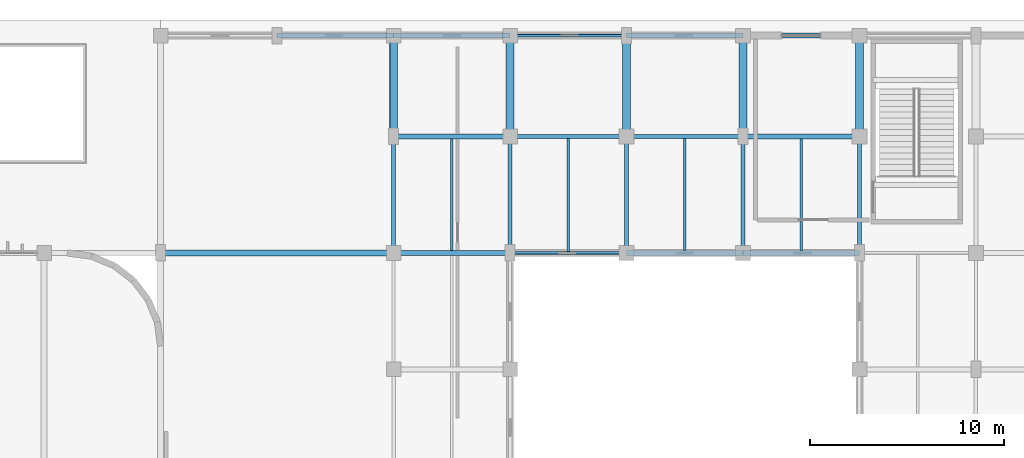
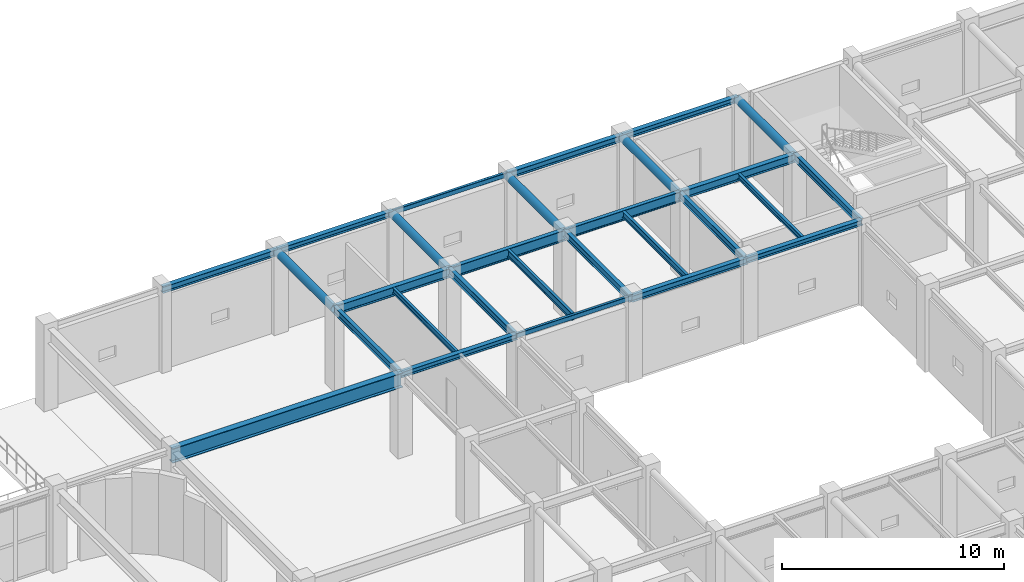
# One storey, part 28 of 76: 28 beams.
"""IFC4 building model written with IfcOpenShell, lengths in metres."""

from ifc_helpers import new_model, si_unit, direction, frame, origin, origin_2d, place, context, subcontext, project, spatial, hollow_rectangle, hollow_circle, i_section, extrude, material, material_profile, profile_set, type_object, element, save


model = new_model("IFC4")

# Units and contexts
model_context = context("Model", 3, precision=1e-05, world=origin(), true_north=direction((0.0, 1.0)))
body_context = subcontext(model_context, "Body", "Model", "MODEL_VIEW")
ifc_project = project(units=[si_unit("LENGTHUNIT", "METRE"), si_unit("AREAUNIT", "SQUARE_METRE"), si_unit("VOLUMEUNIT", "CUBIC_METRE"), si_unit("PLANEANGLEUNIT", "RADIAN"), si_unit("MASSUNIT", "GRAM", prefix="KILO")], contexts=[model_context])

# Site, building, storey
site_placement = place(None, origin())
site = spatial("IfcSite", under=ifc_project, at=site_placement, CompositionType="ELEMENT")
building_placement = place(site_placement, origin())
building = spatial("IfcBuilding", under=site, at=building_placement, Name="Varnakota Square Police Headquarters", CompositionType="ELEMENT")
storey_placement = place(building_placement, origin())
storey = spatial("IfcBuildingStorey", under=building, at=storey_placement, Name="L00", CompositionType="ELEMENT", Elevation=0.0)

# Beams
ifc_material = material(Name="Steel IS 2062 Grade 350", Category="steel")
ifc_material_profile_1 = material_profile(ifc_material, hollow_circle(Radius=0.203125, WallThickness=0.01611328125, at=origin_2d()), Name="CHS 406.4x16.0")
ifc_profile_set_1 = profile_set([ifc_material_profile_1], Name="Steel IS 2062 Grade 350")
beam_type_1 = type_object("IfcBeamType", Name="BM-ARC-CHS406", PredefinedType="BEAM", material=ifc_profile_set_1)
for number, where, z_axis, x_axis, name in (
    (1, (108.0, 105.0, 4.296875), (0.0, 1.0, 0.0), (-1.0, 0.0, 0.0), "BMG-L00-1086"),
    (2, (114.0, 105.0, 4.296875), (0.0, 1.0, 0.0), (-1.0, 0.0, 0.0), "BMG-L00-1095"),
    (3, (120.0, 105.0, 4.296875), (0.0, 1.0, 0.0), (-1.0, 0.0, 0.0), "BMG-L00-1101"),
    (4, (126.0, 105.0, 4.296875), (0.0, 1.0, 0.0), (-1.0, 0.0, 0.0), "BMG-L00-1107"),
    (5, (132.0, 105.0, 4.296875), (0.0, 1.0, 0.0), (-1.0, 0.0, 0.0), "BMG-L00-1116"),
):
    element("IfcBeam", number, at=place(storey_placement, frame(where, z_axis=z_axis, x_axis=x_axis)), inside=storey, type_object=beam_type_1, Name=name, PredefinedType="BEAM", context=body_context, shape_type="SweptSolid", body=[
        extrude(hollow_circle(Radius=0.203125, WallThickness=0.01611328125, at=origin_2d()), origin(), (0.0, 0.0, 1.0), 5.199951171875),
    ])
ifc_material_profile_2 = material_profile(ifc_material, i_section(OverallWidth=0.320068359375, OverallDepth=0.800048828125, WebThickness=0.01611328125, FlangeThickness=0.028076171875, at=origin_2d()), Name="BPG 800x320")
ifc_profile_set_2 = profile_set([ifc_material_profile_2], Name="Steel IS 2062 Grade 350")
beam_type_2 = type_object("IfcBeamType", Name="BM-BPG800", PredefinedType="BEAM", material=ifc_profile_set_2)
beam_1_placement = place(storey_placement, frame((96.0, 99.0, 4.10009765625), z_axis=(1.0, 0.0, 0.0), x_axis=(0.0, 1.0, 0.0)))
element("IfcBeam", 6, at=beam_1_placement, inside=storey, type_object=beam_type_2, Name="BMG-L00-0898", PredefinedType="BEAM", context=body_context, shape_type="SweptSolid", body=[
    extrude(i_section(OverallWidth=0.320068359375, OverallDepth=0.800048828125, WebThickness=0.01611328125, FlangeThickness=0.028076171875, at=origin_2d()), origin(), (0.0, 0.0, 1.0), 12.0),
])
ifc_material_profile_3 = material_profile(ifc_material, hollow_rectangle(XDim=0.14990234375, YDim=0.25, WallThickness=0.010009765625, InnerFilletRadius=0.010009765625, OuterFilletRadius=0.02001953125, at=origin_2d()), Name="RHS 250x150x10")
ifc_profile_set_3 = profile_set([ifc_material_profile_3], Name="Steel IS 2062 Grade 350")
beam_type_3 = type_object("IfcBeamType", Name="BM-CBEAM-RHS250", PredefinedType="BEAM", material=ifc_profile_set_3)
for number, where, z_axis, x_axis, name in (
    (7, (114.0, 99.0, 4.375), (1.0, 0.0, 0.0), (0.0, 1.0, 0.0), "BMG-L00-0900"),
    (8, (114.0, 110.199951171875, 4.375), (1.0, 0.0, 0.0), (0.0, 1.0, 0.0), "BMG-L00-0927"),
):
    element("IfcBeam", number, at=place(storey_placement, frame(where, z_axis=z_axis, x_axis=x_axis)), inside=storey, type_object=beam_type_3, Name=name, PredefinedType="BEAM", context=body_context, shape_type="SweptSolid", body=[
        extrude(hollow_rectangle(XDim=0.14990234375, YDim=0.25, WallThickness=0.010009765625, InnerFilletRadius=0.010009765625, OuterFilletRadius=0.02001953125, at=origin_2d()), origin(), (0.0, 0.0, 1.0), 6.0),
    ])
ifc_material_profile_4 = material_profile(ifc_material, i_section(OverallWidth=0.25, OverallDepth=0.300048828125, WebThickness=0.009521484375, FlangeThickness=0.010498046875, FilletRadius=0.011962890625, at=origin_2d()), Name="ISHB 300")
ifc_profile_set_4 = profile_set([ifc_material_profile_4], Name="Steel IS 2062 Grade 350")
beam_type_4 = type_object("IfcBeamType", Name="BM-ISHB300", PredefinedType="BEAM", material=ifc_profile_set_4)
for number, where, z_axis, x_axis, name in (
    (9, (108.0, 99.0, 4.35009765625), (1.0, 0.0, 0.0), (0.0, 1.0, 0.0), "BMG-L00-0899"),
    (10, (126.0, 99.0, 4.35009765625), (1.0, 0.0, 0.0), (0.0, 1.0, 0.0), "BMG-L00-0902"),
    (11, (108.0, 110.199951171875, 4.35009765625), (1.0, 0.0, 0.0), (0.0, 1.0, 0.0), "BMG-L00-0926"),
    (12, (126.0, 110.199951171875, 4.35009765625), (1.0, 0.0, 0.0), (0.0, 1.0, 0.0), "BMG-L00-0929"),
):
    element("IfcBeam", number, at=place(storey_placement, frame(where, z_axis=z_axis, x_axis=x_axis)), inside=storey, type_object=beam_type_4, Name=name, PredefinedType="BEAM", context=body_context, shape_type="SweptSolid", body=[
        extrude(i_section(OverallWidth=0.25, OverallDepth=0.300048828125, WebThickness=0.009521484375, FlangeThickness=0.010498046875, FilletRadius=0.011962890625, at=origin_2d()), origin(), (0.0, 0.0, 1.0), 6.0),
    ])
ifc_material_profile_5 = material_profile(ifc_material, i_section(OverallWidth=0.25, OverallDepth=0.35009765625, WebThickness=0.010009765625, FlangeThickness=0.01171875, FilletRadius=0.011962890625, at=origin_2d()), Name="ISHB 350")
ifc_profile_set_5 = profile_set([ifc_material_profile_5], Name="Steel IS 2062 Grade 350")
beam_type_5 = type_object("IfcBeamType", Name="BM-ISHB350", PredefinedType="BEAM", material=ifc_profile_set_5)
for number, where, z_axis, x_axis, name in (
    (13, (120.0, 99.0, 4.324951171875), (1.0, 0.0, 0.0), (0.0, 1.0, 0.0), "BMG-L00-0901"),
    (14, (102.0, 110.199951171875, 4.324951171875), (1.0, 0.0, 0.0), (0.0, 1.0, 0.0), "BMG-L00-0925"),
    (15, (120.0, 110.199951171875, 4.324951171875), (1.0, 0.0, 0.0), (0.0, 1.0, 0.0), "BMG-L00-0928"),
):
    element("IfcBeam", number, at=place(storey_placement, frame(where, z_axis=z_axis, x_axis=x_axis)), inside=storey, type_object=beam_type_5, Name=name, PredefinedType="BEAM", context=body_context, shape_type="SweptSolid", body=[
        extrude(i_section(OverallWidth=0.25, OverallDepth=0.35009765625, WebThickness=0.010009765625, FlangeThickness=0.01171875, FilletRadius=0.011962890625, at=origin_2d()), origin(), (0.0, 0.0, 1.0), 6.0),
    ])
ifc_material_profile_6 = material_profile(ifc_material, i_section(OverallWidth=0.25, OverallDepth=0.449951171875, WebThickness=0.01123046875, FlangeThickness=0.013671875, FilletRadius=0.014892578125, at=origin_2d()), Name="ISHB 450")
ifc_profile_set_6 = profile_set([ifc_material_profile_6], Name="Steel IS 2062 Grade 350")
beam_type_6 = type_object("IfcBeamType", Name="BM-ISHB450", PredefinedType="BEAM", material=ifc_profile_set_6)
beam_2_placement = place(storey_placement, frame((126.0, 105.0, 4.27490234375), z_axis=(1.0, 0.0, 0.0), x_axis=(0.0, 1.0, 0.0)))
element("IfcBeam", 16, at=beam_2_placement, inside=storey, type_object=beam_type_6, Name="BMG-L00-0914", PredefinedType="BEAM", context=body_context, shape_type="SweptSolid", body=[
    extrude(i_section(OverallWidth=0.25, OverallDepth=0.449951171875, WebThickness=0.01123046875, FlangeThickness=0.013671875, FilletRadius=0.014892578125, at=origin_2d()), origin(), (0.0, 0.0, 1.0), 6.0),
])
ifc_material_profile_7 = material_profile(ifc_material, i_section(OverallWidth=0.139892578125, OverallDepth=0.300048828125, WebThickness=0.0078125, FlangeThickness=0.01318359375, FilletRadius=0.013916015625, at=origin_2d()), Name="ISMB 300")
ifc_profile_set_7 = profile_set([ifc_material_profile_7], Name="Steel IS 2062 Grade 350")
beam_type_7 = type_object("IfcBeamType", Name="BM-ISMB300", PredefinedType="JOIST", material=ifc_profile_set_7)
for number, where, z_axis, x_axis, name in (
    (17, (111.0, 99.123046875, 4.35009765625), (0.0, 1.0, 0.0), (-1.0, 0.0, 0.0), "BMG-L00-1261"),
    (18, (129.0, 99.123046875, 4.35009765625), (0.0, 1.0, 0.0), (-1.0, 0.0, 0.0), "BMG-L00-1272"),
):
    element("IfcBeam", number, at=place(storey_placement, frame(where, z_axis=z_axis, x_axis=x_axis)), inside=storey, type_object=beam_type_7, Name=name, PredefinedType="JOIST", context=body_context, shape_type="SweptSolid", body=[
        extrude(i_section(OverallWidth=0.139892578125, OverallDepth=0.300048828125, WebThickness=0.0078125, FlangeThickness=0.01318359375, FilletRadius=0.013916015625, at=origin_2d()), origin(), (0.0, 0.0, 1.0), 5.75390625),
    ])
ifc_material_profile_8 = material_profile(ifc_material, i_section(OverallWidth=0.139892578125, OverallDepth=0.35009765625, WebThickness=0.008056640625, FlangeThickness=0.01416015625, FilletRadius=0.013916015625, at=origin_2d()), Name="ISMB 350")
ifc_profile_set_8 = profile_set([ifc_material_profile_8], Name="Steel IS 2062 Grade 350")
beam_type_8 = type_object("IfcBeamType", Name="BM-ISMB350", PredefinedType="JOIST", material=ifc_profile_set_8)
beam_3_placement = place(storey_placement, frame((123.0, 99.123046875, 4.324951171875), z_axis=(0.0, 1.0, 0.0), x_axis=(-1.0, 0.0, 0.0)))
element("IfcBeam", 19, at=beam_3_placement, inside=storey, type_object=beam_type_8, Name="BMG-L00-1269", PredefinedType="JOIST", context=body_context, shape_type="SweptSolid", body=[
    extrude(i_section(OverallWidth=0.139892578125, OverallDepth=0.35009765625, WebThickness=0.008056640625, FlangeThickness=0.01416015625, FilletRadius=0.013916015625, at=origin_2d()), origin(), (0.0, 0.0, 1.0), 5.783935546875),
])
ifc_material_profile_9 = material_profile(ifc_material, i_section(OverallWidth=0.139892578125, OverallDepth=0.39990234375, WebThickness=0.0087890625, FlangeThickness=0.01611328125, FilletRadius=0.013916015625, at=origin_2d()), Name="ISMB 400")
ifc_profile_set_9 = profile_set([ifc_material_profile_9], Name="Steel IS 2062 Grade 350")
beam_type_9 = type_object("IfcBeamType", Name="BM-ISMB400", PredefinedType="JOIST", material=ifc_profile_set_9)
beam_4_placement = place(storey_placement, frame((117.0, 99.072998046875, 4.300048828125), z_axis=(0.0, 1.0, 0.0), x_axis=(-1.0, 0.0, 0.0)))
element("IfcBeam", 20, at=beam_4_placement, inside=storey, type_object=beam_type_9, Name="BMG-L00-1265", PredefinedType="JOIST", context=body_context, shape_type="SweptSolid", body=[
    extrude(i_section(OverallWidth=0.139892578125, OverallDepth=0.39990234375, WebThickness=0.0087890625, FlangeThickness=0.01611328125, FilletRadius=0.013916015625, at=origin_2d()), origin(), (0.0, 0.0, 1.0), 5.823974609375),
])
ifc_material_profile_10 = material_profile(ifc_material, i_section(OverallWidth=0.18994140625, OverallDepth=0.550048828125, WebThickness=0.01123046875, FlangeThickness=0.019287109375, FilletRadius=0.01806640625, at=origin_2d()), Name="ISMB 550")
ifc_profile_set_10 = profile_set([ifc_material_profile_10], Name="Steel IS 2062 Grade 350")
beam_type_10 = type_object("IfcBeamType", Name="BM-ISMB550", PredefinedType="BEAM", material=ifc_profile_set_10)
beam_5_placement = place(storey_placement, frame((120.0, 105.0, 4.22509765625), z_axis=(1.0, 0.0, 0.0), x_axis=(0.0, 1.0, 0.0)))
element("IfcBeam", 21, at=beam_5_placement, inside=storey, type_object=beam_type_10, Name="BMG-L00-0913", PredefinedType="BEAM", context=body_context, shape_type="SweptSolid", body=[
    extrude(i_section(OverallWidth=0.18994140625, OverallDepth=0.550048828125, WebThickness=0.01123046875, FlangeThickness=0.019287109375, FilletRadius=0.01806640625, at=origin_2d()), origin(), (0.0, 0.0, 1.0), 6.0),
])
ifc_material_profile_11 = material_profile(ifc_material, i_section(OverallWidth=0.2099609375, OverallDepth=0.60009765625, WebThickness=0.011962890625, FlangeThickness=0.020751953125, FilletRadius=0.02001953125, at=origin_2d()), Name="ISMB 600")
ifc_profile_set_11 = profile_set([ifc_material_profile_11], Name="Steel IS 2062 Grade 350")
beam_type_11 = type_object("IfcBeamType", Name="BM-ISMB600", PredefinedType="BEAM", material=ifc_profile_set_11)
beam_6_placement = place(storey_placement, frame((114.0, 105.0, 4.199951171875), z_axis=(1.0, 0.0, 0.0), x_axis=(0.0, 1.0, 0.0)))
element("IfcBeam", 22, at=beam_6_placement, inside=storey, type_object=beam_type_11, Name="BMG-L00-0912", PredefinedType="BEAM", context=body_context, shape_type="SweptSolid", body=[
    extrude(i_section(OverallWidth=0.2099609375, OverallDepth=0.60009765625, WebThickness=0.011962890625, FlangeThickness=0.020751953125, FilletRadius=0.02001953125, at=origin_2d()), origin(), (0.0, 0.0, 1.0), 6.0),
])
ifc_material_profile_12 = material_profile(ifc_material, i_section(OverallWidth=0.199951171875, OverallDepth=0.39990234375, WebThickness=0.008544921875, FlangeThickness=0.012939453125, FilletRadius=0.012939453125, at=origin_2d()), Name="ISWB 400")
ifc_profile_set_12 = profile_set([ifc_material_profile_12], Name="Steel IS 2062 Grade 350")
beam_type_12 = type_object("IfcBeamType", Name="BM-ISWB400", PredefinedType="BEAM", material=ifc_profile_set_12)
for number, where, z_axis, x_axis, name in (
    (23, (108.0, 99.0, 4.300048828125), (0.0, 1.0, 0.0), (-1.0, 0.0, 0.0), "BMG-L00-1085"),
    (24, (114.0, 99.0, 4.300048828125), (0.0, 1.0, 0.0), (-1.0, 0.0, 0.0), "BMG-L00-1094"),
    (25, (120.0, 99.0, 4.300048828125), (0.0, 1.0, 0.0), (-1.0, 0.0, 0.0), "BMG-L00-1100"),
    (26, (126.0, 99.0, 4.300048828125), (0.0, 1.0, 0.0), (-1.0, 0.0, 0.0), "BMG-L00-1106"),
    (27, (132.0, 99.0, 4.300048828125), (0.0, 1.0, 0.0), (-1.0, 0.0, 0.0), "BMG-L00-1115"),
):
    element("IfcBeam", number, at=place(storey_placement, frame(where, z_axis=z_axis, x_axis=x_axis)), inside=storey, type_object=beam_type_12, Name=name, PredefinedType="BEAM", context=body_context, shape_type="SweptSolid", body=[
        extrude(i_section(OverallWidth=0.199951171875, OverallDepth=0.39990234375, WebThickness=0.008544921875, FlangeThickness=0.012939453125, FilletRadius=0.012939453125, at=origin_2d()), origin(), (0.0, 0.0, 1.0), 6.0),
    ])
ifc_material_profile_13 = material_profile(ifc_material, i_section(OverallWidth=0.25, OverallDepth=0.5, WebThickness=0.010009765625, FlangeThickness=0.0146484375, FilletRadius=0.014892578125, at=origin_2d()), Name="ISWB 500")
ifc_profile_set_13 = profile_set([ifc_material_profile_13], Name="Steel IS 2062 Grade 350")
beam_type_13 = type_object("IfcBeamType", Name="BM-ISWB500", PredefinedType="BEAM", material=ifc_profile_set_13)
beam_7_placement = place(storey_placement, frame((108.0, 105.0, 4.25), z_axis=(1.0, 0.0, 0.0), x_axis=(0.0, 1.0, 0.0)))
element("IfcBeam", 28, at=beam_7_placement, inside=storey, type_object=beam_type_13, Name="BMG-L00-0911", PredefinedType="BEAM", context=body_context, shape_type="SweptSolid", body=[
    extrude(i_section(OverallWidth=0.25, OverallDepth=0.5, WebThickness=0.010009765625, FlangeThickness=0.0146484375, FilletRadius=0.014892578125, at=origin_2d()), origin(), (0.0, 0.0, 1.0), 6.0),
])

save(model, "model.ifc")
